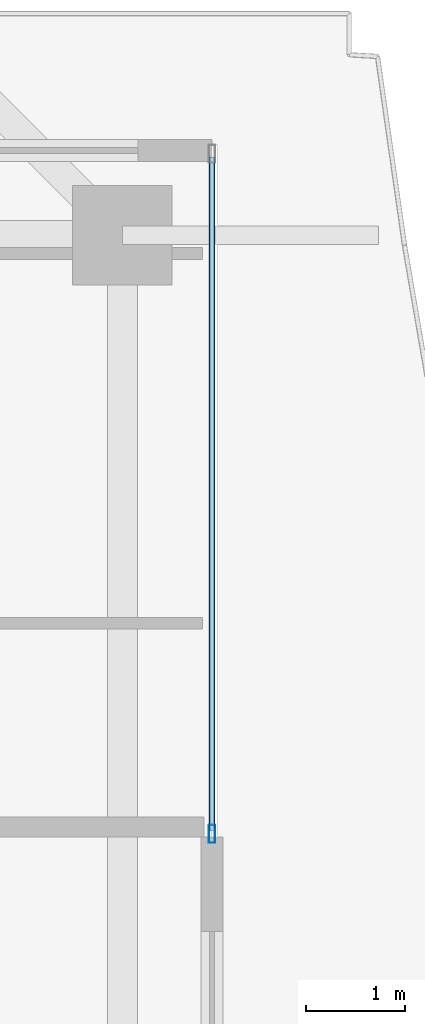
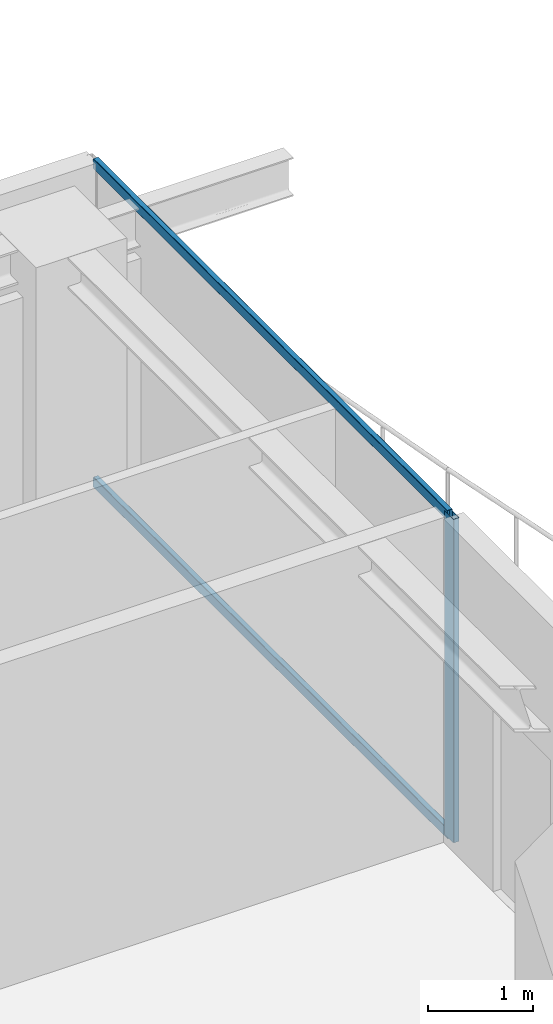
# One storey, part 26 of 42: 3 members, 1 element without a shape of its own.
"""IFC4 building model written with IfcOpenShell, lengths in metres."""

from ifc_helpers import new_model, si_unit, direction, frame, origin, origin_2d, place, context, subcontext, project, spatial, hollow_rectangle, extrude, source, transform, mapped, material, layer, layer_set, material_profile, profile_set, type_object, element, aggregate, save


model = new_model("IFC4")

# Units and contexts
model_context = context("Model", 3, precision=1e-05, world=origin(), true_north=direction((0.0, 1.0)))
body_context = subcontext(model_context, "Body", "Model", "MODEL_VIEW")
ifc_project = project(units=[si_unit("LENGTHUNIT", "METRE"), si_unit("AREAUNIT", "SQUARE_METRE"), si_unit("VOLUMEUNIT", "CUBIC_METRE"), si_unit("PLANEANGLEUNIT", "RADIAN"), si_unit("MASSUNIT", "GRAM", prefix="KILO")], contexts=[model_context])

# Site, building, storey
site_placement = place(None, origin())
site = spatial("IfcSite", under=ifc_project, at=site_placement, CompositionType="ELEMENT")
building_placement = place(site_placement, origin())
building = spatial("IfcBuilding", under=site, at=building_placement, Name="Serunith Strait Residences", CompositionType="ELEMENT")
storey_placement = place(building_placement, frame((0.0, 0.0, 325.85009765625)))
storey = spatial("IfcBuildingStorey", under=building, at=storey_placement, Name="L81", CompositionType="ELEMENT", Elevation=325.85009765625)

# Curtain wall, members
ifc_material = material(Name="Brushed Stainless-Silver Aluminium", Category="aluminium")
ifc_layer = layer(ifc_material, 0.199951171875, Name="Brushed Stainless-Silver Aluminium")
ifc_layer_set = layer_set([ifc_layer], Name="Brushed Stainless-Silver Aluminium")
curtain_wall_type = type_object("IfcCurtainWallType", Name="CW-SYS5", PredefinedType="NOTDEFINED", material=ifc_layer_set)
curtain_wall_placement = place(storey_placement, origin())
curtain_wall = element("IfcCurtainWall", 1, at=curtain_wall_placement, inside=storey, type_object=curtain_wall_type, Name="L81 E Unitised Fritted Curtain Wall", PredefinedType="NOTDEFINED")
ifc_material_profile_1 = material_profile(ifc_material, hollow_rectangle(XDim=0.06494140625, YDim=0.179931640625, WallThickness=0.00341796875, InnerFilletRadius=0.00537109375, OuterFilletRadius=0.0087890625, at=origin_2d()), Name="ALU 180x65x3.5")
ifc_profile_set_1 = profile_set([ifc_material_profile_1], Name="Brushed Stainless-Silver Aluminium")
member_type_1 = type_object("IfcMemberType", Name="CW-SYS5-MULL", PredefinedType="MULLION", material=ifc_profile_set_1)
shared_shape_1 = source(origin(), body_context, "Body", "SweptSolid", [
    extrude(hollow_rectangle(XDim=0.06494140625, YDim=0.179931640625, WallThickness=0.00341796875, InnerFilletRadius=0.00537109375, OuterFilletRadius=0.0087890625, at=origin_2d()), origin(), (0.0, 0.0, 1.0), 3.77490234375),
])
member_1_placement = place(storey_placement, frame((55.60009765625, 33.532470703125, 0.0), z_axis=(0.0, 0.0, 1.0), x_axis=(-1.0, 0.0, 0.0)))
member_1 = element("IfcMember", 2, at=member_1_placement, type_object=member_type_1, Name="CW-5 mullion 1", PredefinedType="MULLION", context=body_context, shape_type="MappedRepresentation", body=[
    mapped(shared_shape_1, transform((0.0, 0.0, 0.0), scale=1.0)),
])
ifc_material_profile_2 = material_profile(ifc_material, hollow_rectangle(XDim=0.06005859375, YDim=0.1201171875, WallThickness=0.00341796875, InnerFilletRadius=0.00537109375, OuterFilletRadius=0.0087890625, at=origin_2d()), Name="ALU 120x60x3.5")
ifc_profile_set_2 = profile_set([ifc_material_profile_2], Name="Brushed Stainless-Silver Aluminium")
member_type_2 = type_object("IfcMemberType", Name="CW-SYS5-TRAN", PredefinedType="USERDEFINED", material=ifc_profile_set_2)
shared_shape_2 = source(origin(), body_context, "Body", "SweptSolid", [
    extrude(hollow_rectangle(XDim=0.06005859375, YDim=0.1201171875, WallThickness=0.00341796875, InnerFilletRadius=0.00537109375, OuterFilletRadius=0.0087890625, at=origin_2d()), origin(), (0.0, 0.0, 1.0), 6.77001953125),
])
member_2_placement = place(storey_placement, frame((55.60009765625, 33.56494140625, 0.02978515625), z_axis=(0.0, 1.0, 0.0), x_axis=(-1.0, 0.0, 0.0)))
member_2 = element("IfcMember", 3, at=member_2_placement, type_object=member_type_2, Name="CW-5 transom 1.1", ObjectType="TRANSOM", PredefinedType="USERDEFINED", context=body_context, shape_type="MappedRepresentation", body=[
    mapped(shared_shape_2, transform((0.0, 0.0, 0.0), scale=1.0)),
])
member_3_placement = place(storey_placement, frame((55.60009765625, 33.56494140625, 3.744873046875), z_axis=(0.0, 1.0, 0.0), x_axis=(-1.0, 0.0, 0.0)))
member_3 = element("IfcMember", 4, at=member_3_placement, type_object=member_type_2, Name="CW-5 transom 1.2", ObjectType="TRANSOM", PredefinedType="USERDEFINED", context=body_context, shape_type="MappedRepresentation", body=[
    mapped(shared_shape_2, transform((0.0, 0.0, 0.0), scale=1.0)),
])
aggregate(curtain_wall, [member_1, member_2, member_3])

save(model, "model.ifc")
